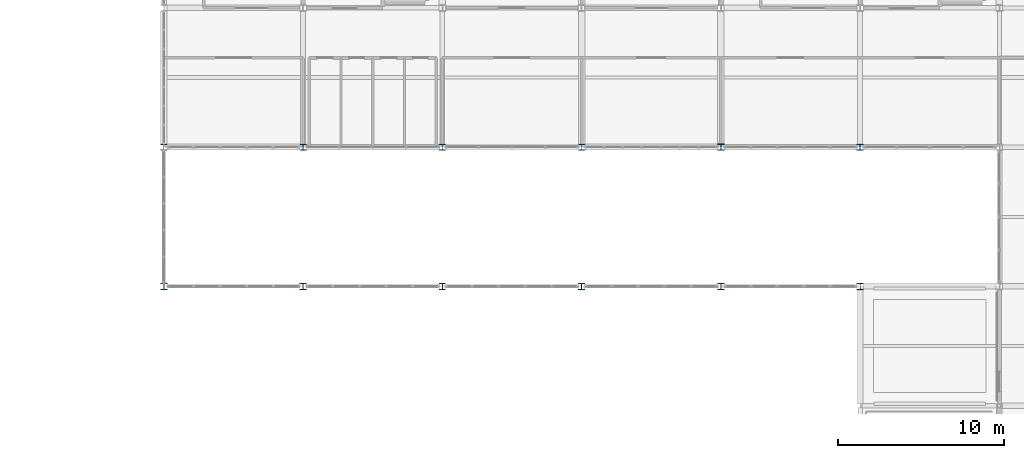
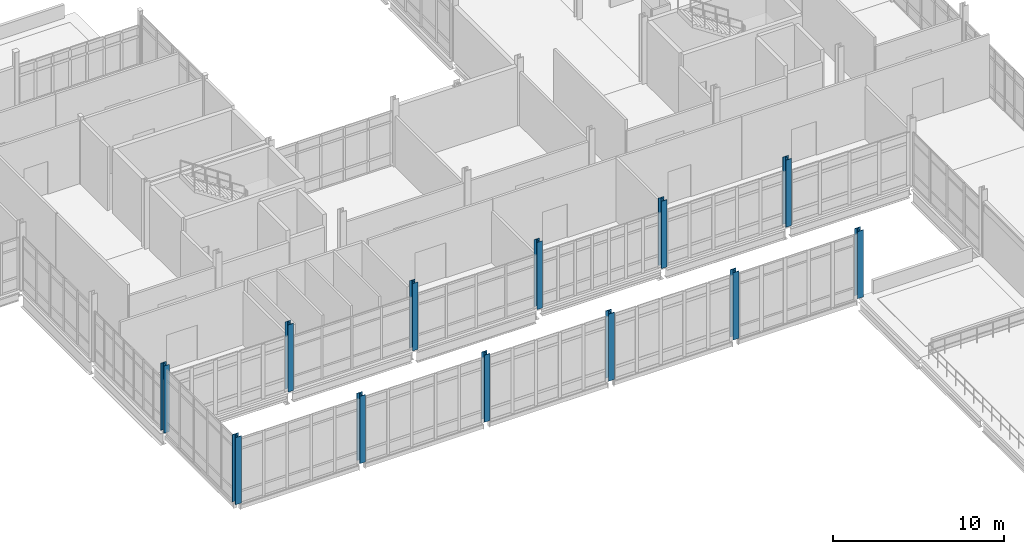
# One storey, part 1 of 186: 12 columns.
"""IFC4 building model written with IfcOpenShell, lengths in metres."""

import ifcopenshell
import ifcopenshell.guid

model = None  # the IFC model being written
_history = None  # IfcOwnerHistory: only IFC2X3 demands one
_inside = {}  # id of a spatial element -> (the spatial element, [elements in it])
_under = {}  # id of a project, library or spatial element -> (it, [spatial elements below it])
_declared = {}  # id of a project -> (the project, [libraries it declares])
_typed = {}  # id of a type object -> (the type object, [elements of that type])
_made_of = {}  # id of a material, layer set ... -> (it, [elements and type objects made of it])


def new_model(schema):
    """Start an empty IFC model of exactly this schema.

    Asked for "IFC4X3", IfcOpenShell would pick the latest addendum, in which some entities
    have other attributes; the version numbers below select the first issue.
    IFC2X3 requires an IfcOwnerHistory on every rooted entity: one is made here for all.
    """
    global model, _history
    if schema == "IFC4X3":
        model = ifcopenshell.file(schema_version=(4, 3, 0, 0))
    else:
        model = ifcopenshell.file(schema=schema)
    _inside.clear()
    _under.clear()
    _declared.clear()
    _typed.clear()
    _made_of.clear()
    _history = None
    if model.schema == "IFC2X3":
        org = make("IfcOrganization", Name="unknown")
        user = make(
            "IfcPersonAndOrganization",
            ThePerson=make("IfcPerson", FamilyName="unknown"),
            TheOrganization=org,
        )
        app = make(
            "IfcApplication",
            ApplicationDeveloper=org,
            Version="unknown",
            ApplicationFullName="unknown",
            ApplicationIdentifier="unknown",
        )
        _history = make(
            "IfcOwnerHistory",
            OwningUser=user,
            OwningApplication=app,
            ChangeAction="ADDED",
            CreationDate=0,
        )
    return model


def make(cls, **values):
    """One entity of the class cls with the attributes given. An attribute that is None is left unset."""
    return model.create_entity(
        cls, **{name: value for name, value in values.items() if value is not None}
    )


def rooted(cls, **values):
    """An entity with a GlobalId (a new one), such as an element, a storey or a relation."""
    return make(cls, GlobalId=ifcopenshell.guid.new(), OwnerHistory=_history, **values)


def si_unit(unit_type, name, prefix=None):
    """IfcSIUnit, for example si_unit("LENGTHUNIT", "METRE", prefix="MILLI")."""
    return make("IfcSIUnit", UnitType=unit_type, Prefix=prefix, Name=name)


def assignment(units):
    """IfcUnitAssignment: the units of a project."""
    return None if units is None else make("IfcUnitAssignment", Units=units)


def point(xyz):
    """IfcCartesianPoint."""
    return None if xyz is None else make("IfcCartesianPoint", Coordinates=xyz)


def direction(xyz):
    """IfcDirection."""
    return None if xyz is None else make("IfcDirection", DirectionRatios=xyz)


def frame(location, z_axis=None, x_axis=None):
    """IfcAxis2Placement3D, a coordinate frame: its origin and axes. An axis left out is left unset."""
    return make(
        "IfcAxis2Placement3D",
        Location=point(location),
        Axis=direction(z_axis),
        RefDirection=direction(x_axis),
    )


def frame_2d(location, x_axis=None):
    """IfcAxis2Placement2D, a coordinate frame in the plane: its origin and x axis."""
    return make(
        "IfcAxis2Placement2D", Location=point(location), RefDirection=direction(x_axis)
    )


def origin():
    """The frame at (0, 0, 0) with its axes left unset."""
    return frame((0.0, 0.0, 0.0))


def origin_2d():
    """The frame at (0, 0) in the plane with its x axis left unset."""
    return frame_2d((0.0, 0.0))


def place(relative_to, where):
    """IfcLocalPlacement: puts the frame where relative to a parent placement (None: the world)."""
    return make(
        "IfcLocalPlacement", PlacementRelTo=relative_to, RelativePlacement=where
    )


def context(
    kind, dimensions, precision=None, world=None, true_north=None, identifier=None
):
    """IfcGeometricRepresentationContext, for example the 3D "Model" context."""
    return make(
        "IfcGeometricRepresentationContext",
        ContextIdentifier=identifier,
        ContextType=kind,
        CoordinateSpaceDimension=dimensions,
        Precision=precision,
        WorldCoordinateSystem=world,
        TrueNorth=true_north,
    )


def subcontext(parent, identifier, kind, view, scale=None):
    """IfcGeometricRepresentationSubContext, for example "Body" below "Model"."""
    return make(
        "IfcGeometricRepresentationSubContext",
        ContextIdentifier=identifier,
        ContextType=kind,
        ParentContext=parent,
        TargetScale=scale,
        TargetView=view,
    )


def project(units=None, contexts=None):
    """IfcProject with its units and contexts."""
    return rooted(
        "IfcProject",
        Name="project",
        RepresentationContexts=contexts,
        UnitsInContext=assignment(units),
    )


def spatial(cls, under=None, at=None, **own):
    """A site, building, storey or space (cls), placed at a placement, below another one or the project."""
    s = rooted(cls, ObjectPlacement=at, **own)
    if under is not None:
        _under.setdefault(under.id(), (under, []))[1].append(s)
    return s


def profile(cls, at=None, kind="AREA", **sizes):
    """A parametric profile (cls). Its sizes go by their IFC names, for example OverallWidth=200.0."""
    return make(cls, ProfileType=kind, Position=at, **sizes)


def i_section(**sizes):
    """IfcIShapeProfileDef."""
    return profile("IfcIShapeProfileDef", **sizes)


def extrude(swept, where, along, depth):
    """IfcExtrudedAreaSolid: the profile swept, set in the frame where, extruded along a direction by depth."""
    return make(
        "IfcExtrudedAreaSolid",
        SweptArea=swept,
        Position=where,
        ExtrudedDirection=direction(along),
        Depth=depth,
    )


def shape(context_of_items, identifier, shape_type, items):
    """IfcShapeRepresentation: the items that make up one representation, for example the "Body"."""
    return make(
        "IfcShapeRepresentation",
        ContextOfItems=context_of_items,
        RepresentationIdentifier=identifier,
        RepresentationType=shape_type,
        Items=items,
    )


def material(Name=None, Category=None):
    """IfcMaterial."""
    return make("IfcMaterial", Name=Name, Category=Category)


def material_profile(
    of_material, cross_section, Name=None, Category=None, Priority=None
):
    """IfcMaterialProfile: a cross section and its material."""
    return make(
        "IfcMaterialProfile",
        Name=Name,
        Material=of_material,
        Profile=cross_section,
        Priority=Priority,
        Category=Category,
    )


def profile_set(profiles, Name=None, composite=None):
    """IfcMaterialProfileSet."""
    return make(
        "IfcMaterialProfileSet",
        Name=Name,
        MaterialProfiles=profiles,
        CompositeProfile=composite,
    )


def made_of(thing, what):
    """Note that an element or type object is made of a material, layer set ...; save() writes the relation."""
    if what is not None:
        _made_of.setdefault(what.id(), (what, []))[1].append(thing)
    return thing


def type_object(cls, material=None, **own):
    """A type object (cls), such as IfcWallType, which elements share."""
    return made_of(rooted(cls, **own), material)


def element(
    cls,
    number,
    at=None,
    inside=None,
    cuts=None,
    type_object=None,
    material=None,
    context=None,
    identifier="Body",
    shape_type=None,
    held_by="IfcProductDefinitionShape",
    body=None,
    shapes=None,
    **own,
):
    """One element of the class cls, such as IfcWall. Its Tag is "e" and its number.

    at: its placement. inside: the storey or other place that contains it. cuts: it is an
    opening in that element (IfcRelVoidsElement). A single representation is given by context,
    identifier, shape_type and body (its items); several are given by shapes. held_by: the class
    of the entity that holds the representations. save() writes the other relations.
    """
    e = rooted(cls, Tag="e%d" % number, ObjectPlacement=at, **own)
    if body is not None:
        shapes = [shape(context, identifier, shape_type, body)]
    if shapes is not None:
        e.Representation = make(held_by, Representations=shapes)
    if inside is not None:
        _inside.setdefault(inside.id(), (inside, []))[1].append(e)
    if cuts is not None:
        rooted(
            "IfcRelVoidsElement", RelatingBuildingElement=cuts, RelatedOpeningElement=e
        )
    if type_object is not None:
        _typed.setdefault(type_object.id(), (type_object, []))[1].append(e)
    return made_of(e, material)


def aggregate(whole, parts):
    """IfcRelAggregates: a whole, such as a stair, and the parts it consists of."""
    return rooted("IfcRelAggregates", RelatingObject=whole, RelatedObjects=parts)


def save(model, path):
    """Write the relations noted so far, then the file.

    IfcRelAggregates (storeys below a building ...), IfcRelContainedInSpatialStructure (elements
    in a storey), IfcRelDefinesByType, IfcRelAssociatesMaterial and IfcRelDeclares: one each for
    every whole, place, type object, material and project.
    """
    for whole, parts in _under.values():
        aggregate(whole, parts)
    for where, things in _inside.values():
        rooted(
            "IfcRelContainedInSpatialStructure",
            RelatedElements=things,
            RelatingStructure=where,
        )
    for kind, things in _typed.values():
        rooted("IfcRelDefinesByType", RelatedObjects=things, RelatingType=kind)
    for what, things in _made_of.values():
        rooted("IfcRelAssociatesMaterial", RelatedObjects=things, RelatingMaterial=what)
    for by, libraries in _declared.values():
        rooted("IfcRelDeclares", RelatingContext=by, RelatedDefinitions=libraries)
    model.write(path)


model = new_model("IFC4")

# Units and contexts
model_context = context("Model", 3, precision=1e-05, world=origin(), true_north=direction((0.0, 1.0)))
body_context = subcontext(model_context, "Body", "Model", "MODEL_VIEW")
ifc_project = project(units=[si_unit("LENGTHUNIT", "METRE"), si_unit("AREAUNIT", "SQUARE_METRE"), si_unit("VOLUMEUNIT", "CUBIC_METRE"), si_unit("PLANEANGLEUNIT", "RADIAN"), si_unit("MASSUNIT", "GRAM", prefix="KILO")], contexts=[model_context])

# Site, building, storey
site_placement = place(None, origin())
site = spatial("IfcSite", under=ifc_project, at=site_placement, CompositionType="ELEMENT")
building_placement = place(site_placement, origin())
building = spatial("IfcBuilding", under=site, at=building_placement, Name="Calvrana Isthmian Art Gallery", CompositionType="ELEMENT")
storey_placement = place(building_placement, frame((0.0, 0.0, 5.39990234375)))
storey = spatial("IfcBuildingStorey", under=building, at=storey_placement, Name="L01", CompositionType="ELEMENT", Elevation=5.39990234375)

# Columns
ifc_material = material(Name="Steel ASTM A992 Gr 50", Category="steel")
ifc_material_profile_1 = material_profile(ifc_material, i_section(OverallWidth=0.37109375, OverallDepth=0.363037109375, WebThickness=0.01318359375, FlangeThickness=0.021728515625, FilletRadius=0.02490234375, at=origin_2d()), Name="W14X109")
ifc_profile_set_1 = profile_set([ifc_material_profile_1], Name="Steel ASTM A992 Gr 50")
column_type_1 = type_object("IfcColumnType", Name="COL-STL-W14X109", PredefinedType="COLUMN", material=ifc_profile_set_1)
column_1_placement = place(storey_placement, frame((38.39990234375, 30.0, 0.0), z_axis=(0.0, 0.0, 1.0), x_axis=(1.0, 0.0, 0.0)))
element("IfcColumn", 1, at=column_1_placement, inside=storey, type_object=column_type_1, Name="Column 06/E L01", PredefinedType="COLUMN", context=body_context, shape_type="SweptSolid", body=[
    extrude(i_section(OverallWidth=0.37109375, OverallDepth=0.363037109375, WebThickness=0.01318359375, FlangeThickness=0.021728515625, FilletRadius=0.02490234375, at=origin_2d()), origin(), (0.0, 0.0, 1.0), 4.800048828125),
])
ifc_material_profile_2 = material_profile(ifc_material, i_section(OverallWidth=0.373046875, OverallDepth=0.367919921875, WebThickness=0.014892578125, FlangeThickness=0.02392578125, FilletRadius=0.02490234375, at=origin_2d()), Name="W14X120")
ifc_profile_set_2 = profile_set([ifc_material_profile_2], Name="Steel ASTM A992 Gr 50")
column_type_2 = type_object("IfcColumnType", Name="COL-STL-W14X120", PredefinedType="COLUMN", material=ifc_profile_set_2)
column_2_placement = place(storey_placement, frame((30.0, 30.0, 0.0), z_axis=(0.0, 0.0, 1.0), x_axis=(1.0, 0.0, 0.0)))
element("IfcColumn", 2, at=column_2_placement, inside=storey, type_object=column_type_2, Name="Column 05/E L01", PredefinedType="COLUMN", context=body_context, shape_type="SweptSolid", body=[
    extrude(i_section(OverallWidth=0.373046875, OverallDepth=0.367919921875, WebThickness=0.014892578125, FlangeThickness=0.02392578125, FilletRadius=0.02490234375, at=origin_2d()), origin(), (0.0, 0.0, 1.0), 4.800048828125),
])
ifc_material_profile_3 = material_profile(ifc_material, i_section(OverallWidth=0.373046875, OverallDepth=0.373046875, WebThickness=0.016357421875, FlangeThickness=0.026123046875, FilletRadius=0.02490234375, at=origin_2d()), Name="W14X132")
ifc_profile_set_3 = profile_set([ifc_material_profile_3], Name="Steel ASTM A992 Gr 50")
column_type_3 = type_object("IfcColumnType", Name="COL-STL-W14X132", PredefinedType="COLUMN", material=ifc_profile_set_3)
for number, where, z_axis, x_axis, name in (
    (3, (21.60009765625, 30.0, 0.0), (0.0, 0.0, 1.0), (1.0, 0.0, 0.0), "Column 04/E L01"),
    (4, (38.39990234375, 21.60009765625, 0.0), (0.0, 0.0, 1.0), (1.0, 0.0, 0.0), "Column 06/D L01"),
):
    element("IfcColumn", number, at=place(storey_placement, frame(where, z_axis=z_axis, x_axis=x_axis)), inside=storey, type_object=column_type_3, Name=name, PredefinedType="COLUMN", context=body_context, shape_type="SweptSolid", body=[
        extrude(i_section(OverallWidth=0.373046875, OverallDepth=0.373046875, WebThickness=0.016357421875, FlangeThickness=0.026123046875, FilletRadius=0.02490234375, at=origin_2d()), origin(), (0.0, 0.0, 1.0), 4.800048828125),
    ])
ifc_material_profile_4 = material_profile(ifc_material, i_section(OverallWidth=0.39404296875, OverallDepth=0.3759765625, WebThickness=0.017333984375, FlangeThickness=0.027587890625, FilletRadius=0.02490234375, at=origin_2d()), Name="W14X145")
ifc_profile_set_4 = profile_set([ifc_material_profile_4], Name="Steel ASTM A992 Gr 50")
column_type_4 = type_object("IfcColumnType", Name="COL-STL-W14X145", PredefinedType="COLUMN", material=ifc_profile_set_4)
for number, where, z_axis, x_axis, name in (
    (5, (30.0, 21.60009765625, 0.0), (0.0, 0.0, 1.0), (1.0, 0.0, 0.0), "Column 05/D L01"),
    (6, (63.60009765625, 21.60009765625, 0.0), (0.0, 0.0, 1.0), (1.0, 0.0, 0.0), "Column 09/D L01"),
):
    element("IfcColumn", number, at=place(storey_placement, frame(where, z_axis=z_axis, x_axis=x_axis)), inside=storey, type_object=column_type_4, Name=name, PredefinedType="COLUMN", context=body_context, shape_type="SweptSolid", body=[
        extrude(i_section(OverallWidth=0.39404296875, OverallDepth=0.3759765625, WebThickness=0.017333984375, FlangeThickness=0.027587890625, FilletRadius=0.02490234375, at=origin_2d()), origin(), (0.0, 0.0, 1.0), 4.800048828125),
    ])
ifc_material_profile_5 = material_profile(ifc_material, i_section(OverallWidth=0.39599609375, OverallDepth=0.381103515625, WebThickness=0.018798828125, FlangeThickness=0.0302734375, FilletRadius=0.02490234375, at=origin_2d()), Name="W14X159")
ifc_profile_set_5 = profile_set([ifc_material_profile_5], Name="Steel ASTM A992 Gr 50")
column_type_5 = type_object("IfcColumnType", Name="COL-STL-W14X159", PredefinedType="COLUMN", material=ifc_profile_set_5)
for number, where, z_axis, x_axis, name in (
    (7, (21.60009765625, 21.60009765625, 0.0), (0.0, 0.0, 1.0), (1.0, 0.0, 0.0), "Column 04/D L01"),
    (8, (55.199951171875, 21.60009765625, 0.0), (0.0, 0.0, 1.0), (1.0, 0.0, 0.0), "Column 08/D L01"),
    (9, (63.60009765625, 30.0, 0.0), (0.0, 0.0, 1.0), (1.0, 0.0, 0.0), "Column 09/E L01"),
):
    element("IfcColumn", number, at=place(storey_placement, frame(where, z_axis=z_axis, x_axis=x_axis)), inside=storey, type_object=column_type_5, Name=name, PredefinedType="COLUMN", context=body_context, shape_type="SweptSolid", body=[
        extrude(i_section(OverallWidth=0.39599609375, OverallDepth=0.381103515625, WebThickness=0.018798828125, FlangeThickness=0.0302734375, FilletRadius=0.02490234375, at=origin_2d()), origin(), (0.0, 0.0, 1.0), 4.800048828125),
    ])
ifc_material_profile_6 = material_profile(ifc_material, i_section(OverallWidth=0.39892578125, OverallDepth=0.385986328125, WebThickness=0.02099609375, FlangeThickness=0.033203125, FilletRadius=0.02490234375, at=origin_2d()), Name="W14X176")
ifc_profile_set_6 = profile_set([ifc_material_profile_6], Name="Steel ASTM A992 Gr 50")
column_type_6 = type_object("IfcColumnType", Name="COL-STL-W14X176", PredefinedType="COLUMN", material=ifc_profile_set_6)
for number, where, z_axis, x_axis, name in (
    (10, (46.800048828125, 21.60009765625, 0.0), (0.0, 0.0, 1.0), (1.0, 0.0, 0.0), "Column 07/D L01"),
    (11, (55.199951171875, 30.0, 0.0), (0.0, 0.0, 1.0), (1.0, 0.0, 0.0), "Column 08/E L01"),
):
    element("IfcColumn", number, at=place(storey_placement, frame(where, z_axis=z_axis, x_axis=x_axis)), inside=storey, type_object=column_type_6, Name=name, PredefinedType="COLUMN", context=body_context, shape_type="SweptSolid", body=[
        extrude(i_section(OverallWidth=0.39892578125, OverallDepth=0.385986328125, WebThickness=0.02099609375, FlangeThickness=0.033203125, FilletRadius=0.02490234375, at=origin_2d()), origin(), (0.0, 0.0, 1.0), 4.800048828125),
    ])
ifc_material_profile_7 = material_profile(ifc_material, i_section(OverallWidth=0.367919921875, OverallDepth=0.35595703125, WebThickness=0.01123046875, FlangeThickness=0.01806640625, FilletRadius=0.02490234375, at=origin_2d()), Name="W14X90")
ifc_profile_set_7 = profile_set([ifc_material_profile_7], Name="Steel ASTM A992 Gr 50")
column_type_7 = type_object("IfcColumnType", Name="COL-STL-W14X90", PredefinedType="COLUMN", material=ifc_profile_set_7)
column_3_placement = place(storey_placement, frame((46.800048828125, 30.0, 0.0), z_axis=(0.0, 0.0, 1.0), x_axis=(1.0, 0.0, 0.0)))
element("IfcColumn", 12, at=column_3_placement, inside=storey, type_object=column_type_7, Name="Column 07/E L01", PredefinedType="COLUMN", context=body_context, shape_type="SweptSolid", body=[
    extrude(i_section(OverallWidth=0.367919921875, OverallDepth=0.35595703125, WebThickness=0.01123046875, FlangeThickness=0.01806640625, FilletRadius=0.02490234375, at=origin_2d()), origin(), (0.0, 0.0, 1.0), 4.800048828125),
])

save(model, "model.ifc")
